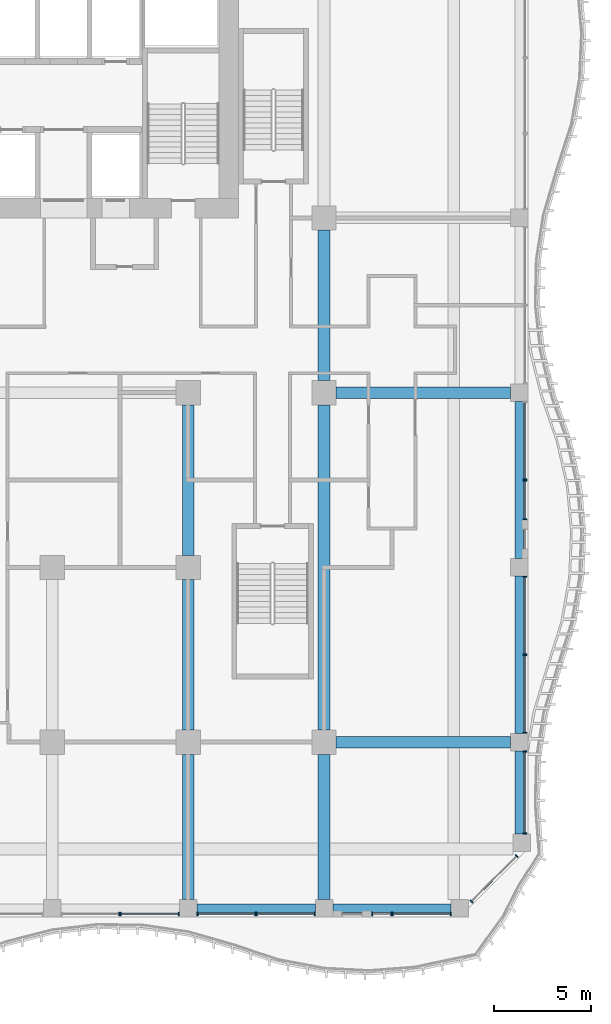
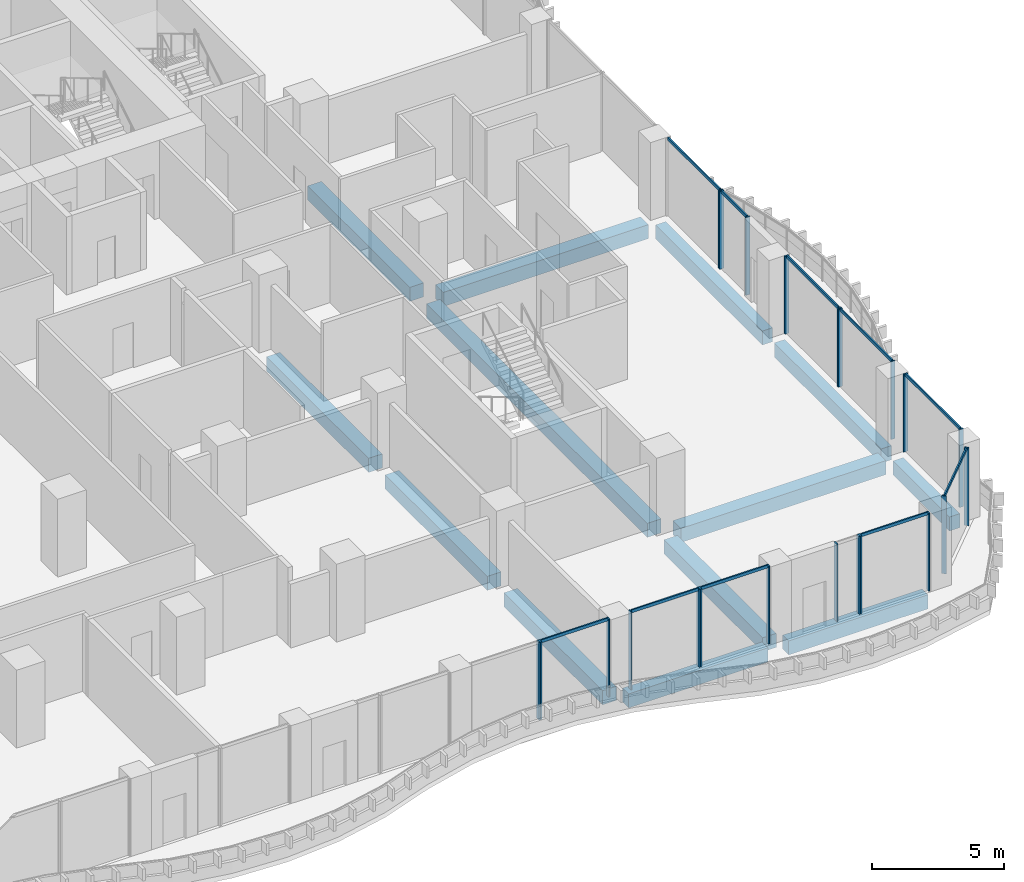
# One storey, part 6 of 21: 32 members, 13 beams, 12 elements without a shape of their own.
"""IFC4 building model written with IfcOpenShell, lengths in metres."""

from ifc_helpers import new_model, si_unit, direction, frame, origin, origin_2d, place, context, subcontext, project, spatial, rectangle, extrude, source, transform, mapped, material, material_profile, profile_set, type_object, element, aggregate, save


model = new_model("IFC4")

# Units and contexts
model_context = context("Model", 3, precision=1e-05, world=origin(), true_north=direction((0.0, 1.0)))
body_context = subcontext(model_context, "Body", "Model", "MODEL_VIEW")
ifc_project = project(units=[si_unit("LENGTHUNIT", "METRE"), si_unit("AREAUNIT", "SQUARE_METRE"), si_unit("VOLUMEUNIT", "CUBIC_METRE"), si_unit("PLANEANGLEUNIT", "RADIAN"), si_unit("MASSUNIT", "GRAM", prefix="KILO")], contexts=[model_context])

# Site, building, storey
site_placement = place(None, origin())
site = spatial("IfcSite", under=ifc_project, at=site_placement, CompositionType="ELEMENT")
building_placement = place(site_placement, origin())
building = spatial("IfcBuilding", under=site, at=building_placement, Name="Kilnfold Tower and Market Hall", CompositionType="ELEMENT")
storey_placement = place(building_placement, frame((0.0, 0.0, 91.199951171875)))
storey = spatial("IfcBuildingStorey", under=building, at=storey_placement, Name="L21", CompositionType="ELEMENT", Elevation=91.199951171875)

# Beams
ifc_material_1 = material(Name="Concrete C45", Category="concrete")
ifc_material_profile_1 = material_profile(ifc_material_1, rectangle(XDim=0.449951171875, YDim=0.64990234375, at=origin_2d()), Name="RC 450x650")
ifc_profile_set_1 = profile_set([ifc_material_profile_1], Name="Concrete C45")
beam_type_1 = type_object("IfcBeamType", Name="EDGE BEAM 450X650 C45", PredefinedType="BEAM", material=ifc_profile_set_1)
shared_shape_1 = source(origin(), body_context, "Body", "SweptSolid", [
    extrude(rectangle(XDim=0.449951171875, YDim=0.64990234375, at=origin_2d()), origin(), (0.0, 0.0, 1.0), 6.10009765625),
])
for number, where, z_axis, x_axis, name in (
    (1, (15.949951171875, -27.550048828125, -0.60498046875), (1.0, 0.0, 0.0), (0.0, 1.0, 0.0), "Beam EB650-B2.65"),
    (2, (22.949951171875, -27.550048828125, -0.60498046875), (1.0, 0.0, 0.0), (0.0, 1.0, 0.0), "Beam EB650-B2.66"),
):
    element("IfcBeam", number, at=place(storey_placement, frame(where, z_axis=z_axis, x_axis=x_axis)), inside=storey, type_object=beam_type_1, Name=name, PredefinedType="BEAM", context=body_context, shape_type="MappedRepresentation", body=[
        mapped(shared_shape_1, transform((0.0, 0.0, 0.0))),
    ])
shared_shape_2 = source(origin(), body_context, "Body", "SweptSolid", [
    extrude(rectangle(XDim=0.449951171875, YDim=0.64990234375, at=origin_2d()), origin(), (0.0, 0.0, 1.0), 8.10009765625),
])
for number, where, z_axis, x_axis, name in (
    (3, (32.550048828125, -18.550048828125, -0.60498046875), (0.0, 1.0, 0.0), (-1.0, 0.0, 0.0), "Beam EB650-B2.100"),
    (4, (32.550048828125, -9.550048828125, -0.60498046875), (0.0, 1.0, 0.0), (-1.0, 0.0, 0.0), "Beam EB650-B2.101"),
):
    element("IfcBeam", number, at=place(storey_placement, frame(where, z_axis=z_axis, x_axis=x_axis)), inside=storey, type_object=beam_type_1, Name=name, PredefinedType="BEAM", context=body_context, shape_type="MappedRepresentation", body=[
        mapped(shared_shape_2, transform((0.0, 0.0, 0.0))),
    ])
shared_shape_3 = source(origin(), body_context, "Body", "SweptSolid", [
    extrude(rectangle(XDim=0.449951171875, YDim=0.64990234375, at=origin_2d()), origin(), (0.0, 0.0, 1.0), 4.28173828125),
])
beam_1_placement = place(storey_placement, frame((32.550048828125, -23.731689453125, -0.60498046875), z_axis=(0.0, 1.0, 0.0), x_axis=(-1.0, 0.0, 0.0)))
element("IfcBeam", 5, at=beam_1_placement, inside=storey, type_object=beam_type_1, Name="Beam EB650-B2.99", PredefinedType="BEAM", context=body_context, shape_type="MappedRepresentation", body=[
    mapped(shared_shape_3, transform((0.0, 0.0, 0.0))),
])
ifc_material_2 = material(Name="Concrete C45", Category="concrete")
ifc_material_profile_2 = material_profile(ifc_material_2, rectangle(XDim=0.60009765625, YDim=0.64990234375, at=origin_2d()), Name="RC 600x650")
ifc_profile_set_2 = profile_set([ifc_material_profile_2], Name="Concrete C45")
beam_type_2 = type_object("IfcBeamType", Name="BEAM 600X650 C45", PredefinedType="BEAM", material=ifc_profile_set_2)
shared_shape_4 = source(origin(), body_context, "Body", "SweptSolid", [
    extrude(rectangle(XDim=0.60009765625, YDim=0.64990234375, at=origin_2d()), origin(), (0.0, 0.0, 1.0), 8.97509765625),
])
for number, where, z_axis, x_axis, name in (
    (6, (23.125, -19.0, -0.60498046875), (1.0, 0.0, 0.0), (0.0, 1.0, 0.0), "Beam BB650-B2.69"),
    (7, (23.125, -1.0, -0.60498046875), (1.0, 0.0, 0.0), (0.0, 1.0, 0.0), "Beam BB650-B2.72"),
):
    element("IfcBeam", number, at=place(storey_placement, frame(where, z_axis=z_axis, x_axis=x_axis)), inside=storey, type_object=beam_type_2, Name=name, PredefinedType="BEAM", context=body_context, shape_type="MappedRepresentation", body=[
        mapped(shared_shape_4, transform((0.0, 0.0, 0.0))),
    ])
shared_shape_5 = source(origin(), body_context, "Body", "SweptSolid", [
    extrude(rectangle(XDim=0.60009765625, YDim=0.64990234375, at=origin_2d()), origin(), (0.0, 0.0, 1.0), 7.47509765625),
])
for number, where, z_axis, x_axis, name in (
    (8, (15.5, -27.10009765625, -0.60498046875), (0.0, 1.0, 0.0), (-1.0, 0.0, 0.0), "Beam BB650-B2.91"),
    (9, (22.5, -27.10009765625, -0.60498046875), (0.0, 1.0, 0.0), (-1.0, 0.0, 0.0), "Beam BB650-B2.94"),
):
    element("IfcBeam", number, at=place(storey_placement, frame(where, z_axis=z_axis, x_axis=x_axis)), inside=storey, type_object=beam_type_2, Name=name, PredefinedType="BEAM", context=body_context, shape_type="MappedRepresentation", body=[
        mapped(shared_shape_5, transform((0.0, 0.0, 0.0))),
    ])
shared_shape_6 = source(origin(), body_context, "Body", "SweptSolid", [
    extrude(rectangle(XDim=0.60009765625, YDim=0.64990234375, at=origin_2d()), origin(), (0.0, 0.0, 1.0), 7.75),
])
for number, where, z_axis, x_axis, name in (
    (10, (15.5, -18.375, -0.60498046875), (0.0, 1.0, 0.0), (-1.0, 0.0, 0.0), "Beam BB650-B2.92"),
    (11, (15.5, -9.375, -0.60498046875), (0.0, 1.0, 0.0), (-1.0, 0.0, 0.0), "Beam BB650-B2.93"),
    (12, (22.5, -0.375, -0.60498046875), (0.0, 1.0, 0.0), (-1.0, 0.0, 0.0), "Beam BB650-B2.96"),
):
    element("IfcBeam", number, at=place(storey_placement, frame(where, z_axis=z_axis, x_axis=x_axis)), inside=storey, type_object=beam_type_2, Name=name, PredefinedType="BEAM", context=body_context, shape_type="MappedRepresentation", body=[
        mapped(shared_shape_6, transform((0.0, 0.0, 0.0))),
    ])
shared_shape_7 = source(origin(), body_context, "Body", "SweptSolid", [
    extrude(rectangle(XDim=0.60009765625, YDim=0.64990234375, at=origin_2d()), origin(), (0.0, 0.0, 1.0), 16.75),
])
beam_2_placement = place(storey_placement, frame((22.5, -18.375, -0.60498046875), z_axis=(0.0, 1.0, 0.0), x_axis=(-1.0, 0.0, 0.0)))
element("IfcBeam", 13, at=beam_2_placement, inside=storey, type_object=beam_type_2, Name="Beam BB650-B2.95", PredefinedType="BEAM", context=body_context, shape_type="MappedRepresentation", body=[
    mapped(shared_shape_7, transform((0.0, 0.0, 0.0))),
])

# Curtain wall, member
ifc_material_3 = material(Name="Aluminium and double glazing", Category="aluminium")
curtain_wall_type = type_object("IfcCurtainWallType", Name="CW OF1 VALLEY GLAZING", PredefinedType="NOTDEFINED", material=ifc_material_3)
curtain_wall_1_placement = place(storey_placement, origin())
curtain_wall_1 = element("IfcCurtainWall", 14, at=curtain_wall_1_placement, inside=storey, type_object=curtain_wall_type, Name="Curtain wall CW1 L21 S", PredefinedType="NOTDEFINED")
ifc_material_4 = material(Name="Aluminium", Category="aluminium")
ifc_material_profile_3 = material_profile(ifc_material_4, rectangle(XDim=0.06005859375, YDim=0.139892578125, at=origin_2d()), Name="TRANSOM 60x140")
ifc_profile_set_3 = profile_set([ifc_material_profile_3], Name="Aluminium")
member_type_1 = type_object("IfcMemberType", Name="TRANSOM 60X140", PredefinedType="USERDEFINED", material=ifc_profile_set_3)
shared_shape_8 = source(origin(), body_context, "Body", "SweptSolid", [
    extrude(rectangle(XDim=0.06005859375, YDim=0.139892578125, at=origin_2d()), origin(), (0.0, 0.0, 1.0), 2.929931640625),
])
member_1_placement = place(storey_placement, frame((12.06005859375, -27.85009765625, 3.570068359375), z_axis=(1.0, 0.0, 0.0), x_axis=(0.0, 1.0, 0.0)))
member_1 = element("IfcMember", 15, at=member_1_placement, type_object=member_type_1, Name="CW1 transom 1.2", ObjectType="TRANSOM", PredefinedType="USERDEFINED", context=body_context, shape_type="MappedRepresentation", body=[
    mapped(shared_shape_8, transform((0.0, 0.0, 0.0))),
])

curtain_wall_2_placement = place(storey_placement, origin())
curtain_wall_2 = element("IfcCurtainWall", 16, at=curtain_wall_2_placement, inside=storey, type_object=curtain_wall_type, Name="Curtain wall CW1 L21 S", PredefinedType="NOTDEFINED")
member_2_placement = place(storey_placement, frame((16.010009765625, -27.85009765625, 3.570068359375), z_axis=(1.0, 0.0, 0.0), x_axis=(0.0, 1.0, 0.0)))
member_2 = element("IfcMember", 17, at=member_2_placement, type_object=member_type_1, Name="CW1 transom 1.2", ObjectType="TRANSOM", PredefinedType="USERDEFINED", context=body_context, shape_type="MappedRepresentation", body=[
    mapped(shared_shape_8, transform((0.0, 0.0, 0.0))),
])

curtain_wall_3_placement = place(storey_placement, origin())
curtain_wall_3 = element("IfcCurtainWall", 18, at=curtain_wall_3_placement, inside=storey, type_object=curtain_wall_type, Name="Curtain wall CW1 L21 S", PredefinedType="NOTDEFINED")
member_3_placement = place(storey_placement, frame((19.06005859375, -27.85009765625, 3.570068359375), z_axis=(1.0, 0.0, 0.0), x_axis=(0.0, 1.0, 0.0)))
member_3 = element("IfcMember", 19, at=member_3_placement, type_object=member_type_1, Name="CW1 transom 1.2", ObjectType="TRANSOM", PredefinedType="USERDEFINED", context=body_context, shape_type="MappedRepresentation", body=[
    mapped(shared_shape_8, transform((0.0, 0.0, 0.0))),
])

curtain_wall_4_placement = place(storey_placement, origin())
curtain_wall_4 = element("IfcCurtainWall", 20, at=curtain_wall_4_placement, inside=storey, type_object=curtain_wall_type, Name="Curtain wall CW1 L21 S", PredefinedType="NOTDEFINED")
member_4_placement = place(storey_placement, frame((26.06005859375, -27.85009765625, 3.570068359375), z_axis=(1.0, 0.0, 0.0), x_axis=(0.0, 1.0, 0.0)))
member_4 = element("IfcMember", 21, at=member_4_placement, type_object=member_type_1, Name="CW1 transom 1.2", ObjectType="TRANSOM", PredefinedType="USERDEFINED", context=body_context, shape_type="MappedRepresentation", body=[
    mapped(shared_shape_8, transform((0.0, 0.0, 0.0))),
])

curtain_wall_5_placement = place(storey_placement, origin())
curtain_wall_5 = element("IfcCurtainWall", 22, at=curtain_wall_5_placement, inside=storey, type_object=curtain_wall_type, Name="Curtain wall CW1 L21 E", PredefinedType="NOTDEFINED")
shared_shape_9 = source(origin(), body_context, "Body", "SweptSolid", [
    extrude(rectangle(XDim=0.06005859375, YDim=0.139892578125, at=origin_2d()), origin(), (0.0, 0.0, 1.0), 3.929931640625),
])
member_5_placement = place(storey_placement, frame((32.85009765625, -18.489990234375, 3.570068359375), z_axis=(0.0, 1.0, 0.0), x_axis=(-1.0, 0.0, 0.0)))
member_5 = element("IfcMember", 23, at=member_5_placement, type_object=member_type_1, Name="CW1 transom 1.2", ObjectType="TRANSOM", PredefinedType="USERDEFINED", context=body_context, shape_type="MappedRepresentation", body=[
    mapped(shared_shape_9, transform((0.0, 0.0, 0.0))),
])

curtain_wall_6_placement = place(storey_placement, origin())
curtain_wall_6 = element("IfcCurtainWall", 24, at=curtain_wall_6_placement, inside=storey, type_object=curtain_wall_type, Name="Curtain wall CW1 L21 E", PredefinedType="NOTDEFINED")
member_6_placement = place(storey_placement, frame((32.85009765625, -14.43994140625, 3.570068359375), z_axis=(0.0, 1.0, 0.0), x_axis=(-1.0, 0.0, 0.0)))
member_6 = element("IfcMember", 25, at=member_6_placement, type_object=member_type_1, Name="CW1 transom 1.2", ObjectType="TRANSOM", PredefinedType="USERDEFINED", context=body_context, shape_type="MappedRepresentation", body=[
    mapped(shared_shape_9, transform((0.0, 0.0, 0.0))),
])

curtain_wall_7_placement = place(storey_placement, origin())
curtain_wall_7 = element("IfcCurtainWall", 26, at=curtain_wall_7_placement, inside=storey, type_object=curtain_wall_type, Name="Curtain wall CW1 L21 E", PredefinedType="NOTDEFINED")
member_7_placement = place(storey_placement, frame((32.85009765625, -5.43994140625, 3.570068359375), z_axis=(0.0, 1.0, 0.0), x_axis=(-1.0, 0.0, 0.0)))
member_7 = element("IfcMember", 27, at=member_7_placement, type_object=member_type_1, Name="CW1 transom 1.2", ObjectType="TRANSOM", PredefinedType="USERDEFINED", context=body_context, shape_type="MappedRepresentation", body=[
    mapped(shared_shape_9, transform((0.0, 0.0, 0.0))),
])

curtain_wall_8_placement = place(storey_placement, origin())
curtain_wall_8 = element("IfcCurtainWall", 28, at=curtain_wall_8_placement, inside=storey, type_object=curtain_wall_type, Name="Curtain wall CW1 L21 E", PredefinedType="NOTDEFINED")
shared_shape_10 = source(origin(), body_context, "Body", "SweptSolid", [
    extrude(rectangle(XDim=0.06005859375, YDim=0.139892578125, at=origin_2d()), origin(), (0.0, 0.0, 1.0), 1.929931640625),
])
member_8_placement = place(storey_placement, frame((32.85009765625, -7.489990234375, 3.570068359375), z_axis=(0.0, 1.0, 0.0), x_axis=(-1.0, 0.0, 0.0)))
member_8 = element("IfcMember", 29, at=member_8_placement, type_object=member_type_1, Name="CW1 transom 1.2", ObjectType="TRANSOM", PredefinedType="USERDEFINED", context=body_context, shape_type="MappedRepresentation", body=[
    mapped(shared_shape_10, transform((0.0, 0.0, 0.0))),
])

curtain_wall_9_placement = place(storey_placement, origin())
curtain_wall_9 = element("IfcCurtainWall", 30, at=curtain_wall_9_placement, inside=storey, type_object=curtain_wall_type, Name="Curtain wall CW1 L21 E", PredefinedType="NOTDEFINED")
shared_shape_11 = source(origin(), body_context, "Body", "SweptSolid", [
    extrude(rectangle(XDim=0.06005859375, YDim=0.139892578125, at=origin_2d()), origin(), (0.0, 0.0, 1.0), 4.161865234375),
])
member_9_placement = place(storey_placement, frame((32.85009765625, -23.671875, 3.570068359375), z_axis=(0.0, 1.0, 0.0), x_axis=(-1.0, 0.0, 0.0)))
member_9 = element("IfcMember", 31, at=member_9_placement, type_object=member_type_1, Name="CW1 transom 1.2", ObjectType="TRANSOM", PredefinedType="USERDEFINED", context=body_context, shape_type="MappedRepresentation", body=[
    mapped(shared_shape_11, transform((0.0, 0.0, 0.0))),
])

curtain_wall_10_placement = place(storey_placement, origin())
curtain_wall_10 = element("IfcCurtainWall", 32, at=curtain_wall_10_placement, inside=storey, type_object=curtain_wall_type, Name="Curtain wall CW1 L21 SE", PredefinedType="NOTDEFINED")
shared_shape_12 = source(origin(), body_context, "Body", "SweptSolid", [
    extrude(rectangle(XDim=0.06005859375, YDim=0.139892578125, at=origin_2d()), origin(), (0.0, 0.0, 1.0), 3.239013671875),
])
member_10_placement = place(storey_placement, frame((30.111328125, -27.176513671875, 3.570068359375), z_axis=(0.707106781187, 0.707106781187, 0.0), x_axis=(-0.707106781187, 0.707106781187, 0.0)))
member_10 = element("IfcMember", 33, at=member_10_placement, type_object=member_type_1, Name="CW1 transom 1.2", ObjectType="TRANSOM", PredefinedType="USERDEFINED", context=body_context, shape_type="MappedRepresentation", body=[
    mapped(shared_shape_12, transform((0.0, 0.0, 0.0))),
])

curtain_wall_11_placement = place(storey_placement, origin())
curtain_wall_11 = element("IfcCurtainWall", 34, at=curtain_wall_11_placement, inside=storey, type_object=curtain_wall_type, Name="Curtain wall CW1 L21 S", PredefinedType="NOTDEFINED")
ifc_material_5 = material(Name="Aluminium", Category="aluminium")
ifc_material_profile_4 = material_profile(ifc_material_5, rectangle(XDim=0.06005859375, YDim=0.179931640625, at=origin_2d()), Name="MULLION 60x180")
ifc_profile_set_4 = profile_set([ifc_material_profile_4], Name="Aluminium")
member_type_2 = type_object("IfcMemberType", Name="MULLION 60X180", PredefinedType="MULLION", material=ifc_profile_set_4)
shared_shape_13 = source(origin(), body_context, "Body", "SweptSolid", [
    extrude(rectangle(XDim=0.06005859375, YDim=0.179931640625, at=origin_2d()), origin(), (0.0, 0.0, 1.0), 3.60009765625),
])
member_11_placement = place(storey_placement, frame((11.969970703125, -27.85009765625, 0.0), z_axis=(0.0, 0.0, 1.0), x_axis=(1.0, 0.0, 0.0)))
member_11 = element("IfcMember", 35, at=member_11_placement, type_object=member_type_2, Name="CW1 mullion 2", PredefinedType="MULLION", context=body_context, shape_type="MappedRepresentation", body=[
    mapped(shared_shape_13, transform((0.0, 0.0, 0.0))),
])
aggregate(curtain_wall_11, [member_11])

# Member
member_12_placement = place(storey_placement, frame((12.030029296875, -27.85009765625, 0.0), z_axis=(0.0, 0.0, 1.0), x_axis=(1.0, 0.0, 0.0)))
member_12 = element("IfcMember", 36, at=member_12_placement, type_object=member_type_2, Name="CW1 mullion 1", PredefinedType="MULLION", context=body_context, shape_type="MappedRepresentation", body=[
    mapped(shared_shape_13, transform((0.0, 0.0, 0.0))),
])

member_13_placement = place(storey_placement, frame((15.02001953125, -27.85009765625, 0.0), z_axis=(0.0, 0.0, 1.0), x_axis=(1.0, 0.0, 0.0)))
member_13 = element("IfcMember", 37, at=member_13_placement, type_object=member_type_2, Name="CW1 mullion 2", PredefinedType="MULLION", context=body_context, shape_type="MappedRepresentation", body=[
    mapped(shared_shape_13, transform((0.0, 0.0, 0.0))),
])

aggregate(curtain_wall_1, [member_12, member_13, member_1])

member_14_placement = place(storey_placement, frame((15.97998046875, -27.85009765625, 0.0), z_axis=(0.0, 0.0, 1.0), x_axis=(1.0, 0.0, 0.0)))
member_14 = element("IfcMember", 38, at=member_14_placement, type_object=member_type_2, Name="CW1 mullion 1", PredefinedType="MULLION", context=body_context, shape_type="MappedRepresentation", body=[
    mapped(shared_shape_13, transform((0.0, 0.0, 0.0))),
])

member_15_placement = place(storey_placement, frame((18.969970703125, -27.85009765625, 0.0), z_axis=(0.0, 0.0, 1.0), x_axis=(1.0, 0.0, 0.0)))
member_15 = element("IfcMember", 39, at=member_15_placement, type_object=member_type_2, Name="CW1 mullion 2", PredefinedType="MULLION", context=body_context, shape_type="MappedRepresentation", body=[
    mapped(shared_shape_13, transform((0.0, 0.0, 0.0))),
])

aggregate(curtain_wall_2, [member_14, member_15, member_2])

member_16_placement = place(storey_placement, frame((19.030029296875, -27.85009765625, 0.0), z_axis=(0.0, 0.0, 1.0), x_axis=(1.0, 0.0, 0.0)))
member_16 = element("IfcMember", 40, at=member_16_placement, type_object=member_type_2, Name="CW1 mullion 1", PredefinedType="MULLION", context=body_context, shape_type="MappedRepresentation", body=[
    mapped(shared_shape_13, transform((0.0, 0.0, 0.0))),
])

member_17_placement = place(storey_placement, frame((22.02001953125, -27.85009765625, 0.0), z_axis=(0.0, 0.0, 1.0), x_axis=(1.0, 0.0, 0.0)))
member_17 = element("IfcMember", 41, at=member_17_placement, type_object=member_type_2, Name="CW1 mullion 2", PredefinedType="MULLION", context=body_context, shape_type="MappedRepresentation", body=[
    mapped(shared_shape_13, transform((0.0, 0.0, 0.0))),
])

aggregate(curtain_wall_3, [member_16, member_17, member_3])

# Curtain wall, members
curtain_wall_12_placement = place(storey_placement, origin())
curtain_wall_12 = element("IfcCurtainWall", 42, at=curtain_wall_12_placement, inside=storey, type_object=curtain_wall_type, Name="Curtain wall CW1 L21 S", PredefinedType="NOTDEFINED")
member_18_placement = place(storey_placement, frame((24.97998046875, -27.85009765625, 0.0), z_axis=(0.0, 0.0, 1.0), x_axis=(1.0, 0.0, 0.0)))
member_18 = element("IfcMember", 43, at=member_18_placement, type_object=member_type_2, Name="CW1 mullion 1", PredefinedType="MULLION", context=body_context, shape_type="MappedRepresentation", body=[
    mapped(shared_shape_13, transform((0.0, 0.0, 0.0))),
])
member_19_placement = place(storey_placement, frame((25.969970703125, -27.85009765625, 0.0), z_axis=(0.0, 0.0, 1.0), x_axis=(1.0, 0.0, 0.0)))
member_19 = element("IfcMember", 44, at=member_19_placement, type_object=member_type_2, Name="CW1 mullion 2", PredefinedType="MULLION", context=body_context, shape_type="MappedRepresentation", body=[
    mapped(shared_shape_13, transform((0.0, 0.0, 0.0))),
])
aggregate(curtain_wall_12, [member_18, member_19])

# Member
member_20_placement = place(storey_placement, frame((26.030029296875, -27.85009765625, 0.0), z_axis=(0.0, 0.0, 1.0), x_axis=(1.0, 0.0, 0.0)))
member_20 = element("IfcMember", 45, at=member_20_placement, type_object=member_type_2, Name="CW1 mullion 1", PredefinedType="MULLION", context=body_context, shape_type="MappedRepresentation", body=[
    mapped(shared_shape_13, transform((0.0, 0.0, 0.0))),
])

member_21_placement = place(storey_placement, frame((29.02001953125, -27.85009765625, 0.0), z_axis=(0.0, 0.0, 1.0), x_axis=(1.0, 0.0, 0.0)))
member_21 = element("IfcMember", 46, at=member_21_placement, type_object=member_type_2, Name="CW1 mullion 2", PredefinedType="MULLION", context=body_context, shape_type="MappedRepresentation", body=[
    mapped(shared_shape_13, transform((0.0, 0.0, 0.0))),
])

aggregate(curtain_wall_4, [member_20, member_21, member_4])

member_22_placement = place(storey_placement, frame((30.090087890625, -27.19775390625, 0.0), z_axis=(0.0, 0.0, 1.0), x_axis=(0.707121667181, 0.707091894879, 0.0)))
member_22 = element("IfcMember", 47, at=member_22_placement, type_object=member_type_2, Name="CW1 mullion 1", PredefinedType="MULLION", context=body_context, shape_type="MappedRepresentation", body=[
    mapped(shared_shape_13, transform((0.0, 0.0, 0.0))),
])

member_23_placement = place(storey_placement, frame((32.4228515625, -24.865234375, 0.0), z_axis=(0.0, 0.0, 1.0), x_axis=(0.707121667181, 0.707091894879, 0.0)))
member_23 = element("IfcMember", 48, at=member_23_placement, type_object=member_type_2, Name="CW1 mullion 2", PredefinedType="MULLION", context=body_context, shape_type="MappedRepresentation", body=[
    mapped(shared_shape_13, transform((0.0, 0.0, 0.0))),
])

aggregate(curtain_wall_10, [member_22, member_23, member_10])

member_24_placement = place(storey_placement, frame((32.85009765625, -23.701904296875, 0.0), z_axis=(0.0, 0.0, 1.0), x_axis=(0.0, 1.0, 0.0)))
member_24 = element("IfcMember", 49, at=member_24_placement, type_object=member_type_2, Name="CW1 mullion 1", PredefinedType="MULLION", context=body_context, shape_type="MappedRepresentation", body=[
    mapped(shared_shape_13, transform((0.0, 0.0, 0.0))),
])

member_25_placement = place(storey_placement, frame((32.85009765625, -19.47998046875, 0.0), z_axis=(0.0, 0.0, 1.0), x_axis=(0.0, 1.0, 0.0)))
member_25 = element("IfcMember", 50, at=member_25_placement, type_object=member_type_2, Name="CW1 mullion 2", PredefinedType="MULLION", context=body_context, shape_type="MappedRepresentation", body=[
    mapped(shared_shape_13, transform((0.0, 0.0, 0.0))),
])

aggregate(curtain_wall_9, [member_24, member_25, member_9])

member_26_placement = place(storey_placement, frame((32.85009765625, -18.52001953125, 0.0), z_axis=(0.0, 0.0, 1.0), x_axis=(0.0, 1.0, 0.0)))
member_26 = element("IfcMember", 51, at=member_26_placement, type_object=member_type_2, Name="CW1 mullion 1", PredefinedType="MULLION", context=body_context, shape_type="MappedRepresentation", body=[
    mapped(shared_shape_13, transform((0.0, 0.0, 0.0))),
])

member_27_placement = place(storey_placement, frame((32.85009765625, -14.530029296875, 0.0), z_axis=(0.0, 0.0, 1.0), x_axis=(0.0, 1.0, 0.0)))
member_27 = element("IfcMember", 52, at=member_27_placement, type_object=member_type_2, Name="CW1 mullion 2", PredefinedType="MULLION", context=body_context, shape_type="MappedRepresentation", body=[
    mapped(shared_shape_13, transform((0.0, 0.0, 0.0))),
])

aggregate(curtain_wall_5, [member_26, member_27, member_5])

member_28_placement = place(storey_placement, frame((32.85009765625, -14.469970703125, 0.0), z_axis=(0.0, 0.0, 1.0), x_axis=(0.0, 1.0, 0.0)))
member_28 = element("IfcMember", 53, at=member_28_placement, type_object=member_type_2, Name="CW1 mullion 1", PredefinedType="MULLION", context=body_context, shape_type="MappedRepresentation", body=[
    mapped(shared_shape_13, transform((0.0, 0.0, 0.0))),
])

member_29_placement = place(storey_placement, frame((32.85009765625, -10.47998046875, 0.0), z_axis=(0.0, 0.0, 1.0), x_axis=(0.0, 1.0, 0.0)))
member_29 = element("IfcMember", 54, at=member_29_placement, type_object=member_type_2, Name="CW1 mullion 2", PredefinedType="MULLION", context=body_context, shape_type="MappedRepresentation", body=[
    mapped(shared_shape_13, transform((0.0, 0.0, 0.0))),
])

aggregate(curtain_wall_6, [member_28, member_29, member_6])

member_30_placement = place(storey_placement, frame((32.85009765625, -7.52001953125, 0.0), z_axis=(0.0, 0.0, 1.0), x_axis=(0.0, 1.0, 0.0)))
member_30 = element("IfcMember", 55, at=member_30_placement, type_object=member_type_2, Name="CW1 mullion 1", PredefinedType="MULLION", context=body_context, shape_type="MappedRepresentation", body=[
    mapped(shared_shape_13, transform((0.0, 0.0, 0.0))),
])

member_31_placement = place(storey_placement, frame((32.85009765625, -5.530029296875, 0.0), z_axis=(0.0, 0.0, 1.0), x_axis=(0.0, 1.0, 0.0)))
member_31 = element("IfcMember", 56, at=member_31_placement, type_object=member_type_2, Name="CW1 mullion 2", PredefinedType="MULLION", context=body_context, shape_type="MappedRepresentation", body=[
    mapped(shared_shape_13, transform((0.0, 0.0, 0.0))),
])

aggregate(curtain_wall_8, [member_30, member_31, member_8])

member_32_placement = place(storey_placement, frame((32.85009765625, -5.469970703125, 0.0), z_axis=(0.0, 0.0, 1.0), x_axis=(0.0, 1.0, 0.0)))
member_32 = element("IfcMember", 57, at=member_32_placement, type_object=member_type_2, Name="CW1 mullion 1", PredefinedType="MULLION", context=body_context, shape_type="MappedRepresentation", body=[
    mapped(shared_shape_13, transform((0.0, 0.0, 0.0))),
])

aggregate(curtain_wall_7, [member_32, member_7])

save(model, "model.ifc")
